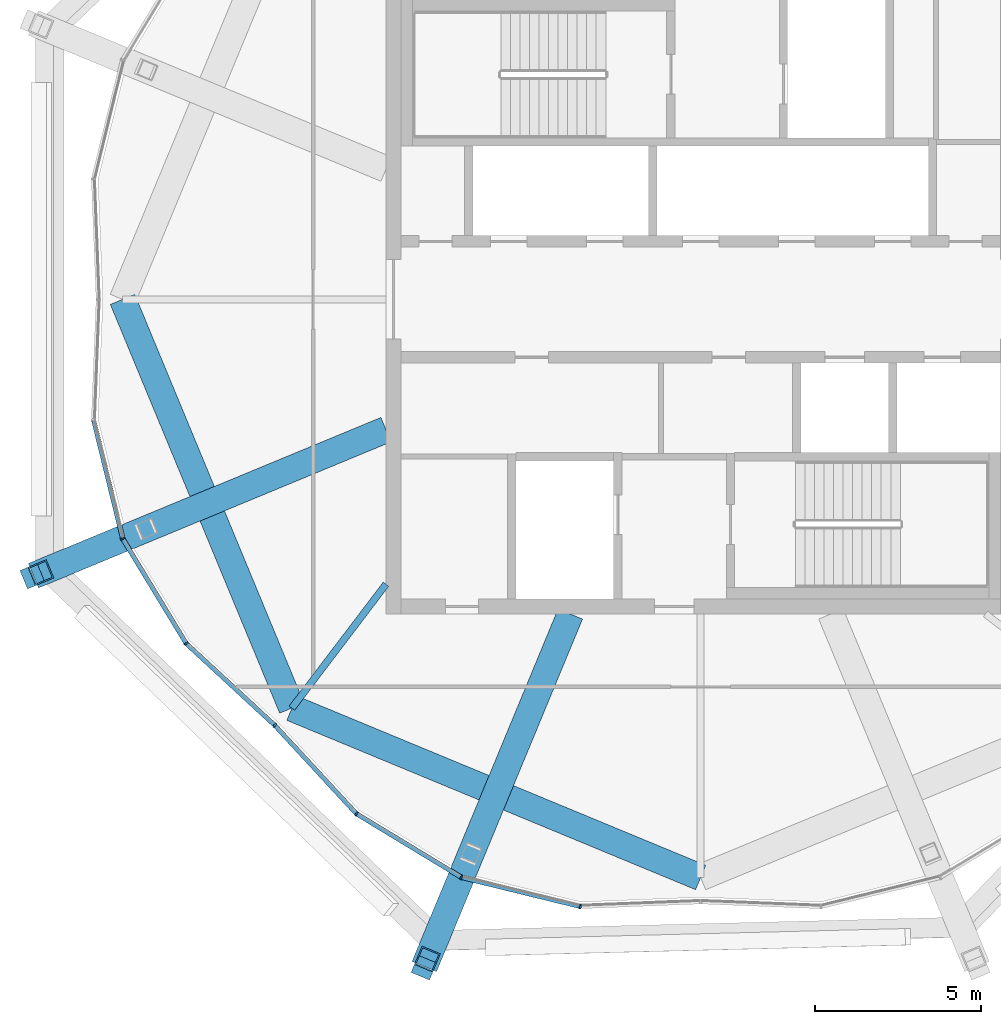
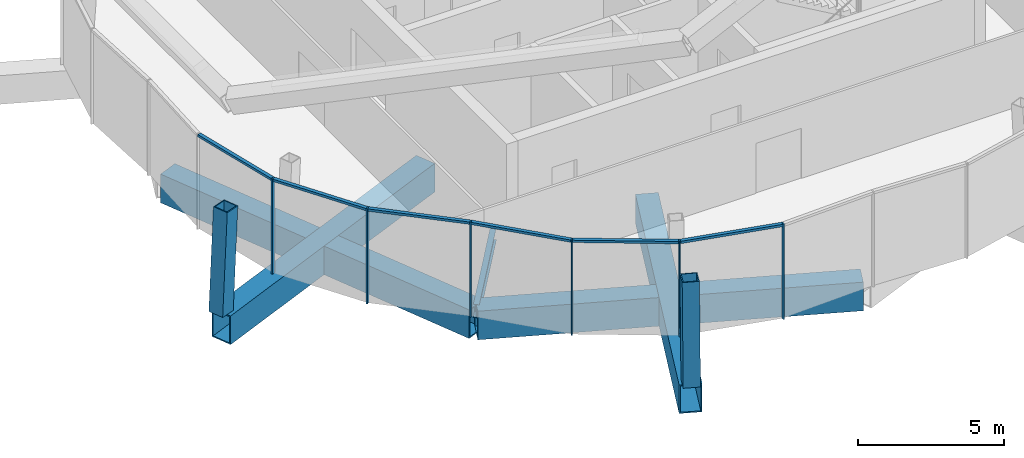
# One storey, part 2 of 34: 14 members, 5 beams, 2 elements without a shape of their own.
"""IFC4 building model written with IfcOpenShell, lengths in metres."""

from ifc_helpers import new_model, si_unit, direction, frame, origin, origin_2d, place, context, subcontext, project, spatial, rectangle, hollow_rectangle, i_section, extrude, material, material_profile, profile_set, type_object, element, aggregate, save


model = new_model("IFC4")

# Units and contexts
model_context = context("Model", 3, precision=1e-05, world=origin(), true_north=direction((0.0, 1.0)))
body_context = subcontext(model_context, "Body", "Model", "MODEL_VIEW")
ifc_project = project(units=[si_unit("LENGTHUNIT", "METRE"), si_unit("AREAUNIT", "SQUARE_METRE"), si_unit("VOLUMEUNIT", "CUBIC_METRE"), si_unit("PLANEANGLEUNIT", "RADIAN"), si_unit("MASSUNIT", "GRAM", prefix="KILO")], contexts=[model_context])

# Site, building, storey
site_placement = place(None, origin())
site = spatial("IfcSite", under=ifc_project, at=site_placement, CompositionType="ELEMENT")
building_placement = place(site_placement, origin())
building = spatial("IfcBuilding", under=site, at=building_placement, Name="Ogive Gate Towers", CompositionType="ELEMENT")
storey_placement = place(building_placement, frame((0.0, 0.0, 294.0)))
storey = spatial("IfcBuildingStorey", under=building, at=storey_placement, Name="L69", CompositionType="ELEMENT", Elevation=294.0)

# Curtain wall, members
ifc_material_1 = material(Name="Pale metal aluminium", Category="aluminium")
curtain_wall_type = type_object("IfcCurtainWallType", Name="Crown lean wall", PredefinedType="NOTDEFINED", material=ifc_material_1)
curtain_wall_1_placement = place(storey_placement, origin())
curtain_wall_1 = element("IfcCurtainWall", 1, at=curtain_wall_1_placement, inside=storey, type_object=curtain_wall_type, Name="CW5 T1 ECW05", PredefinedType="NOTDEFINED")
ifc_material_profile_1 = material_profile(ifc_material_1, rectangle(XDim=0.139892578125, YDim=0.050048828125, at=origin_2d()), Name="50 x 140 aluminium box")
ifc_profile_set_1 = profile_set([ifc_material_profile_1], Name="Pale metal aluminium")
member_type_1 = type_object("IfcMemberType", Name="Crown lean wall mullion 50 x 140", PredefinedType="MULLION", material=ifc_profile_set_1)
member_1_placement = place(storey_placement, frame((-48.85791015625, -12.859619140625, -0.300048828125), z_axis=(0.0, 0.0, 1.0), x_axis=(0.678557197649, 0.734547567907, 0.0)))
member_1 = element("IfcMember", 2, at=member_1_placement, type_object=member_type_1, Name="CW5 mullion", PredefinedType="MULLION", context=body_context, shape_type="SweptSolid", body=[
    extrude(rectangle(XDim=0.139892578125, YDim=0.050048828125, at=origin_2d()), origin(), (0.0, 0.0, 1.0), 4.0),
])
member_2_placement = place(storey_placement, frame((-51.529296875, -10.3916015625, -0.300048828125), z_axis=(0.0, 0.0, 1.0), x_axis=(0.77434847103, 0.632759389826, 0.0)))
member_2 = element("IfcMember", 3, at=member_2_placement, type_object=member_type_1, Name="CW5 mullion", PredefinedType="MULLION", context=body_context, shape_type="SweptSolid", body=[
    extrude(rectangle(XDim=0.139892578125, YDim=0.050048828125, at=origin_2d()), origin(), (0.0, 0.0, 1.0), 4.0),
])
member_3_placement = place(storey_placement, frame((-53.448486328125, -7.227294921875, -0.300048828125), z_axis=(0.0, 0.0, 1.0), x_axis=(0.923879532511, 0.382683432365, 0.0)))
member_3 = element("IfcMember", 4, at=member_3_placement, type_object=member_type_1, Name="CW5 mullion", PredefinedType="MULLION", context=body_context, shape_type="SweptSolid", body=[
    extrude(rectangle(XDim=0.139892578125, YDim=0.050048828125, at=origin_2d()), origin(), (0.0, 0.0, 1.0), 4.0),
])

curtain_wall_2_placement = place(storey_placement, origin())
curtain_wall_2 = element("IfcCurtainWall", 5, at=curtain_wall_2_placement, inside=storey, type_object=curtain_wall_type, Name="CW5 T1 ECW06", PredefinedType="NOTDEFINED")
member_4_placement = place(storey_placement, frame((-39.633056640625, -18.328857421875, -0.300048828125), z_axis=(0.0, 0.0, 1.0), x_axis=(0.100101233848, 0.99497725752, 0.0)))
member_4 = element("IfcMember", 6, at=member_4_placement, type_object=member_type_1, Name="CW5 mullion", PredefinedType="MULLION", context=body_context, shape_type="SweptSolid", body=[
    extrude(rectangle(XDim=0.139892578125, YDim=0.050048828125, at=origin_2d()), origin(), (0.0, 0.0, 1.0), 4.0),
])
member_5_placement = place(storey_placement, frame((-43.227294921875, -17.448486328125, -0.300048828125), z_axis=(0.0, 0.0, 1.0), x_axis=(0.382683432365, 0.923879532511, 0.0)))
member_5 = element("IfcMember", 7, at=member_5_placement, type_object=member_type_1, Name="CW5 mullion", PredefinedType="MULLION", context=body_context, shape_type="SweptSolid", body=[
    extrude(rectangle(XDim=0.139892578125, YDim=0.050048828125, at=origin_2d()), origin(), (0.0, 0.0, 1.0), 4.0),
])
member_6_placement = place(storey_placement, frame((-46.3916015625, -15.529296875, -0.300048828125), z_axis=(0.0, 0.0, 1.0), x_axis=(0.632759389826, 0.77434847103, 0.0)))
member_6 = element("IfcMember", 8, at=member_6_placement, type_object=member_type_1, Name="CW5 mullion", PredefinedType="MULLION", context=body_context, shape_type="SweptSolid", body=[
    extrude(rectangle(XDim=0.139892578125, YDim=0.050048828125, at=origin_2d()), origin(), (0.0, 0.0, 1.0), 4.0),
])

# Member
ifc_material_profile_2 = material_profile(ifc_material_1, rectangle(XDim=0.139892578125, YDim=0.10009765625, at=origin_2d()), Name="100 x 140 aluminium box")
ifc_profile_set_2 = profile_set([ifc_material_profile_2], Name="Pale metal aluminium")
member_type_2 = type_object("IfcMemberType", Name="Crown lean wall transom 100 x 140", PredefinedType="USERDEFINED", material=ifc_profile_set_2)
member_7_placement = place(storey_placement, frame((-48.876220703125, -12.8427734375, 3.64990234375), z_axis=(-0.734557828346, 0.678546090414, 0.0), x_axis=(-0.678546090414, -0.734557828346, 0.0)))
member_7 = element("IfcMember", 9, at=member_7_placement, type_object=member_type_2, Name="CW5 transom", ObjectType="TRANSOM", PredefinedType="USERDEFINED", context=body_context, shape_type="SweptSolid", body=[
    extrude(rectangle(XDim=0.139892578125, YDim=0.10009765625, at=origin_2d()), origin(), (0.0, 0.0, 1.0), 3.582763671875),
])

member_8_placement = place(storey_placement, frame((-51.544677734375, -10.36669921875, 3.64990234375), z_axis=(-0.518629997302, 0.854998787074, 0.0), x_axis=(-0.854998787074, -0.518629997302, 0.0)))
member_8 = element("IfcMember", 10, at=member_8_placement, type_object=member_type_2, Name="CW5 transom", ObjectType="TRANSOM", PredefinedType="USERDEFINED", context=body_context, shape_type="SweptSolid", body=[
    extrude(rectangle(XDim=0.139892578125, YDim=0.10009765625, at=origin_2d()), origin(), (0.0, 0.0, 1.0), 3.64208984375),
])

member_9_placement = place(storey_placement, frame((-53.455810546875, -7.19873046875, 3.64990234375), z_axis=(-0.237911321475, 0.971286879925, 0.0), x_axis=(-0.971286879925, -0.237911321475, 0.0)))
member_9 = element("IfcMember", 11, at=member_9_placement, type_object=member_type_2, Name="CW5 transom", ObjectType="TRANSOM", PredefinedType="USERDEFINED", context=body_context, shape_type="SweptSolid", body=[
    extrude(rectangle(XDim=0.139892578125, YDim=0.10009765625, at=origin_2d()), origin(), (0.0, 0.0, 1.0), 3.641845703125),
])

aggregate(curtain_wall_1, [member_1, member_2, member_7, member_3, member_8, member_9])

member_10_placement = place(storey_placement, frame((-39.661376953125, -18.322265625, 3.64990234375), z_axis=(-0.971286879925, 0.237911321475, 0.0), x_axis=(-0.237911321475, -0.971286879925, 0.0)))
member_10 = element("IfcMember", 12, at=member_10_placement, type_object=member_type_2, Name="CW5 transom", ObjectType="TRANSOM", PredefinedType="USERDEFINED", context=body_context, shape_type="SweptSolid", body=[
    extrude(rectangle(XDim=0.139892578125, YDim=0.10009765625, at=origin_2d()), origin(), (0.0, 0.0, 1.0), 3.641845703125),
])

member_11_placement = place(storey_placement, frame((-43.252685546875, -17.43359375, 3.64990234375), z_axis=(-0.854998787074, 0.518629997302, 0.0), x_axis=(-0.518629997302, -0.854998787074, 0.0)))
member_11 = element("IfcMember", 13, at=member_11_placement, type_object=member_type_2, Name="CW5 transom", ObjectType="TRANSOM", PredefinedType="USERDEFINED", context=body_context, shape_type="SweptSolid", body=[
    extrude(rectangle(XDim=0.139892578125, YDim=0.10009765625, at=origin_2d()), origin(), (0.0, 0.0, 1.0), 3.64208984375),
])

member_12_placement = place(storey_placement, frame((-46.41162109375, -15.508056640625, 3.64990234375), z_axis=(-0.678546090414, 0.734557828346, 0.0), x_axis=(-0.734557828346, -0.678546090414, 0.0)))
member_12 = element("IfcMember", 14, at=member_12_placement, type_object=member_type_2, Name="CW5 transom", ObjectType="TRANSOM", PredefinedType="USERDEFINED", context=body_context, shape_type="SweptSolid", body=[
    extrude(rectangle(XDim=0.139892578125, YDim=0.10009765625, at=origin_2d()), origin(), (0.0, 0.0, 1.0), 3.582763671875),
])

aggregate(curtain_wall_2, [member_4, member_5, member_10, member_6, member_11, member_12])

# Members
ifc_material_2 = material(Name="Steel SM460", Category="steel")
ifc_material_profile_3 = material_profile(ifc_material_2, hollow_rectangle(XDim=0.60009765625, YDim=0.60009765625, WallThickness=0.0400390625, at=origin_2d()), Name="BX 600x600x40")
ifc_profile_set_3 = profile_set([ifc_material_profile_3], Name="Steel SM460")
member_type_3 = type_object("IfcMemberType", Name="Crown rib BX 600x600x40", PredefinedType="MEMBER", material=ifc_profile_set_3)
for number, where, z_axis, x_axis, name in (
    (15, (-56.159423828125, -8.350341796875, -0.25), (0.056420201971, 0.023393742281, 0.998133003979), (-0.3830150227, 0.923742113572, 0.0), "T1/L69/STR005"),
    (16, (-44.350341796875, -20.159423828125, -0.25), (0.023393742281, 0.056420201971, 0.998133003979), (-0.923742113572, 0.3830150227, 0.0), "T1/L69/STR006"),
):
    element("IfcMember", number, at=place(storey_placement, frame(where, z_axis=z_axis, x_axis=x_axis)), inside=storey, type_object=member_type_3, Name=name, PredefinedType="MEMBER", context=body_context, shape_type="SweptSolid", body=[
        extrude(hollow_rectangle(XDim=0.60009765625, YDim=0.60009765625, WallThickness=0.0400390625, at=origin_2d()), origin(), (0.0, 0.0, 1.0), 4.258056640625),
    ])

# Beams
ifc_material_profile_4 = material_profile(ifc_material_2, hollow_rectangle(XDim=0.800048828125, YDim=1.199951171875, WallThickness=0.050048828125, at=origin_2d()), Name="BX 1200x800x50")
ifc_profile_set_4 = profile_set([ifc_material_profile_4], Name="Steel SM460")
beam_type_1 = type_object("IfcBeamType", Name="Edge girder BX 1200x800x50", PredefinedType="BEAM", material=ifc_profile_set_4)
for number, where, z_axis, x_axis, name in (
    (17, (-48.342529296875, -12.342529296875, -0.89990234375), (0.923876732551, -0.382690191996, 0.0), (0.382690191996, 0.923876732551, 0.0), "T1/L69/SBM025"),
    (18, (-53.455078125, 0.0, -0.89990234375), (0.382690191996, -0.923876732551, 0.0), (0.923876732551, 0.382690191996, 0.0), "T1/L69/SBM032"),
):
    element("IfcBeam", number, at=place(storey_placement, frame(where, z_axis=z_axis, x_axis=x_axis)), inside=storey, type_object=beam_type_1, Name=name, PredefinedType="BEAM", context=body_context, shape_type="SweptSolid", body=[
        extrude(hollow_rectangle(XDim=0.800048828125, YDim=1.199951171875, WallThickness=0.050048828125, at=origin_2d()), origin(), (0.0, 0.0, 1.0), 13.359619140625),
    ])
ifc_material_3 = material(Name="Steel SM355", Category="steel")
ifc_material_profile_5 = material_profile(ifc_material_3, i_section(OverallWidth=0.2099609375, OverallDepth=0.550048828125, WebThickness=0.010986328125, FlangeThickness=0.01708984375, FilletRadius=0.02392578125, at=origin_2d()), Name="IPE 550")
ifc_profile_set_5 = profile_set([ifc_material_profile_5], Name="Steel SM355")
beam_type_2 = type_object("IfcBeamType", Name="Radial floor beam IPE 550", PredefinedType="BEAM", material=ifc_profile_set_5)
beam_placement = place(storey_placement, frame((-45.5, -8.60009765625, -0.574951171875), z_axis=(-0.604851417257, -0.796338347087, 0.0), x_axis=(0.796338347087, -0.604851417257, 0.0)))
element("IfcBeam", 19, at=beam_placement, inside=storey, type_object=beam_type_2, Name="T1/L69/SBM009", PredefinedType="BEAM", context=body_context, shape_type="SweptSolid", body=[
    extrude(i_section(OverallWidth=0.2099609375, OverallDepth=0.550048828125, WebThickness=0.010986328125, FlangeThickness=0.01708984375, FilletRadius=0.02392578125, at=origin_2d()), origin(), (0.0, 0.0, 1.0), 4.699462890625),
])
ifc_material_profile_6 = material_profile(ifc_material_2, hollow_rectangle(XDim=0.800048828125, YDim=1.199951171875, WallThickness=0.050048828125, at=origin_2d()), Name="BX 1200x800x50")
ifc_profile_set_6 = profile_set([ifc_material_profile_6], Name="Steel SM460")
beam_type_3 = type_object("IfcBeamType", Name="Transfer radial beam BX 1200x800x50", PredefinedType="BEAM", material=ifc_profile_set_6)
for number, where, z_axis, x_axis, name in (
    (20, (-39.93505859375, -9.5, -0.89990234375), (-0.382684265017, -0.923879187615, 0.0), (0.923879187615, -0.382684265017, 0.0), "T1/L69/SBM010"),
    (21, (-45.5, -3.93505859375, -0.89990234375), (-0.923879187615, -0.382684265017, 0.0), (0.382684265017, -0.923879187615, 0.0), "T1/L69/SBM024"),
):
    element("IfcBeam", number, at=place(storey_placement, frame(where, z_axis=z_axis, x_axis=x_axis)), inside=storey, type_object=beam_type_3, Name=name, PredefinedType="BEAM", context=body_context, shape_type="SweptSolid", body=[
        extrude(hollow_rectangle(XDim=0.800048828125, YDim=1.199951171875, WallThickness=0.050048828125, at=origin_2d()), origin(), (0.0, 0.0, 1.0), 11.5224609375),
    ])

save(model, "model.ifc")
